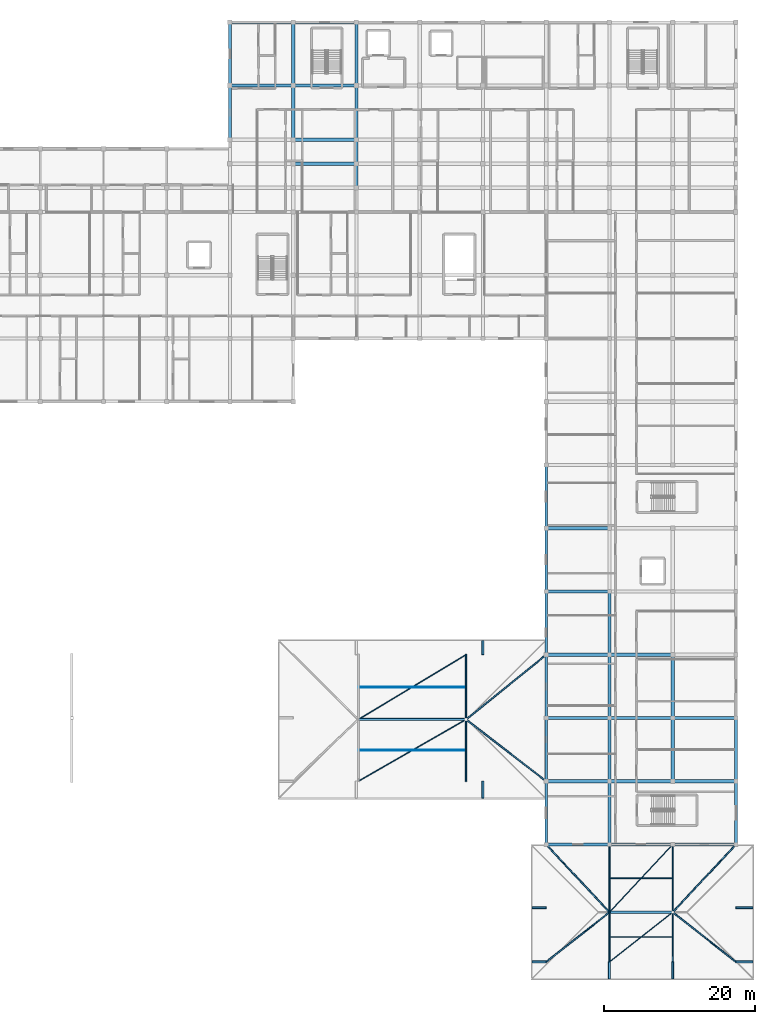
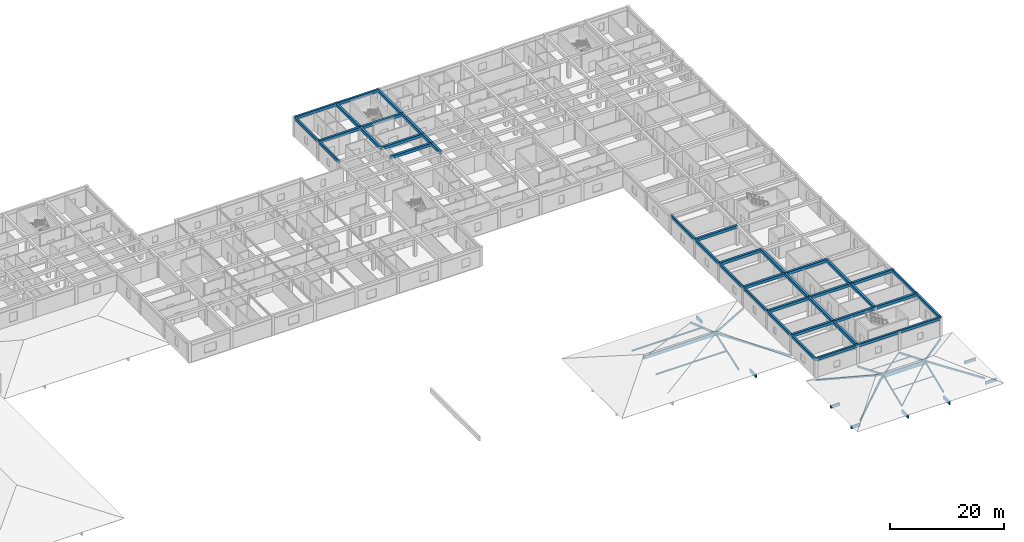
# One storey, part 9 of 42: 51 beams, 20 members.
"""IFC4 building model written with IfcOpenShell, lengths in metres."""

from ifc_helpers import new_model, si_unit, direction, frame, origin, origin_2d, place, context, subcontext, project, spatial, rectangle, hollow_rectangle, hollow_circle, extrude, material, material_profile, profile_set, type_object, element, save


model = new_model("IFC4")

# Units and contexts
model_context = context("Model", 3, precision=1e-05, world=origin(), true_north=direction((0.0, 1.0)))
body_context = subcontext(model_context, "Body", "Model", "MODEL_VIEW")
ifc_project = project(units=[si_unit("LENGTHUNIT", "METRE"), si_unit("AREAUNIT", "SQUARE_METRE"), si_unit("VOLUMEUNIT", "CUBIC_METRE"), si_unit("PLANEANGLEUNIT", "RADIAN"), si_unit("MASSUNIT", "GRAM", prefix="KILO")], contexts=[model_context])

# Site, building, storey
site_placement = place(None, origin())
site = spatial("IfcSite", under=ifc_project, at=site_placement, CompositionType="ELEMENT")
building_placement = place(site_placement, origin())
building = spatial("IfcBuilding", under=site, at=building_placement, Name="Varncliffe General Hospital", CompositionType="ELEMENT")
storey_placement = place(building_placement, frame((0.0, 0.0, 20.39990234375)))
storey = spatial("IfcBuildingStorey", under=building, at=storey_placement, Name="L04", CompositionType="ELEMENT", Elevation=20.39990234375)

# Beams
ifc_material_1 = material(Name="Concrete C35/45 (CSA A23.1 35 MPa)", Category="concrete")
ifc_material_profile_1 = material_profile(ifc_material_1, rectangle(XDim=0.449951171875, YDim=0.60009765625, at=origin_2d()), Name="RC 450x600")
ifc_profile_set_1 = profile_set([ifc_material_profile_1], Name="Concrete C35/45 (CSA A23.1 35 MPa)")
beam_type_1 = type_object("IfcBeamType", Name="Beam B47 (Int RC 450x600)", PredefinedType="BEAM", material=ifc_profile_set_1)
beam_1_placement = place(storey_placement, frame((151.199951171875, 24.0, 3.900146484375), z_axis=(1.0, 0.0, 0.0), x_axis=(0.0, 1.0, 0.0)))
element("IfcBeam", 1, at=beam_1_placement, inside=storey, type_object=beam_type_1, Name="L04 Primary Beam B47-4", PredefinedType="BEAM", context=body_context, shape_type="SweptSolid", body=[
    extrude(rectangle(XDim=0.449951171875, YDim=0.60009765625, at=origin_2d()), origin(), (0.0, 0.0, 1.0), 8.400146484375),
])
for number, where, z_axis, x_axis, name in (
    (2, (159.60009765625, 24.0, 3.900146484375), (1.0, 0.0, 0.0), (0.0, 1.0, 0.0), "L04 Primary Beam B47-5"),
    (3, (168.0, 24.0, 3.900146484375), (1.0, 0.0, 0.0), (0.0, 1.0, 0.0), "L04 Primary Beam B47-6"),
):
    element("IfcBeam", number, at=place(storey_placement, frame(where, z_axis=z_axis, x_axis=x_axis)), inside=storey, type_object=beam_type_1, Name=name, PredefinedType="BEAM", context=body_context, shape_type="SweptSolid", body=[
        extrude(rectangle(XDim=0.449951171875, YDim=0.60009765625, at=origin_2d()), origin(), (0.0, 0.0, 1.0), 8.39990234375),
    ])
beam_2_placement = place(storey_placement, frame((151.199951171875, 32.39990234375, 3.900146484375), z_axis=(1.0, 0.0, 0.0), x_axis=(0.0, 1.0, 0.0)))
element("IfcBeam", 4, at=beam_2_placement, inside=storey, type_object=beam_type_1, Name="L04 Primary Beam B47-7", PredefinedType="BEAM", context=body_context, shape_type="SweptSolid", body=[
    extrude(rectangle(XDim=0.449951171875, YDim=0.60009765625, at=origin_2d()), origin(), (0.0, 0.0, 1.0), 8.400146484375),
])
for number, where, z_axis, x_axis, name in (
    (5, (159.60009765625, 32.39990234375, 3.900146484375), (1.0, 0.0, 0.0), (0.0, 1.0, 0.0), "L04 Primary Beam B47-8"),
    (6, (168.0, 32.39990234375, 3.900146484375), (1.0, 0.0, 0.0), (0.0, 1.0, 0.0), "L04 Primary Beam B47-9"),
):
    element("IfcBeam", number, at=place(storey_placement, frame(where, z_axis=z_axis, x_axis=x_axis)), inside=storey, type_object=beam_type_1, Name=name, PredefinedType="BEAM", context=body_context, shape_type="SweptSolid", body=[
        extrude(rectangle(XDim=0.449951171875, YDim=0.60009765625, at=origin_2d()), origin(), (0.0, 0.0, 1.0), 8.39990234375),
    ])
beam_3_placement = place(storey_placement, frame((151.199951171875, 40.800048828125, 3.900146484375), z_axis=(1.0, 0.0, 0.0), x_axis=(0.0, 1.0, 0.0)))
element("IfcBeam", 7, at=beam_3_placement, inside=storey, type_object=beam_type_1, Name="L04 Primary Beam B47-10", PredefinedType="BEAM", context=body_context, shape_type="SweptSolid", body=[
    extrude(rectangle(XDim=0.449951171875, YDim=0.60009765625, at=origin_2d()), origin(), (0.0, 0.0, 1.0), 8.400146484375),
])
beam_4_placement = place(storey_placement, frame((159.60009765625, 40.800048828125, 3.900146484375), z_axis=(1.0, 0.0, 0.0), x_axis=(0.0, 1.0, 0.0)))
element("IfcBeam", 8, at=beam_4_placement, inside=storey, type_object=beam_type_1, Name="L04 Primary Beam B47-11", PredefinedType="BEAM", context=body_context, shape_type="SweptSolid", body=[
    extrude(rectangle(XDim=0.449951171875, YDim=0.60009765625, at=origin_2d()), origin(), (0.0, 0.0, 1.0), 8.39990234375),
])
for number, where, z_axis, x_axis, name in (
    (9, (151.199951171875, 49.199951171875, 3.900146484375), (1.0, 0.0, 0.0), (0.0, 1.0, 0.0), "L04 Primary Beam B47-13"),
    (10, (151.199951171875, 57.60009765625, 3.900146484375), (1.0, 0.0, 0.0), (0.0, 1.0, 0.0), "L04 Primary Beam B47-16"),
):
    element("IfcBeam", number, at=place(storey_placement, frame(where, z_axis=z_axis, x_axis=x_axis)), inside=storey, type_object=beam_type_1, Name=name, PredefinedType="BEAM", context=body_context, shape_type="SweptSolid", body=[
        extrude(rectangle(XDim=0.449951171875, YDim=0.60009765625, at=origin_2d()), origin(), (0.0, 0.0, 1.0), 8.400146484375),
    ])
for number, where, z_axis, x_axis, name in (
    (11, (117.60009765625, 106.0, 3.900146484375), (1.0, 0.0, 0.0), (0.0, 1.0, 0.0), "L04 Primary Beam B47-116"),
    (12, (117.60009765625, 109.199951171875, 3.900146484375), (1.0, 0.0, 0.0), (0.0, 1.0, 0.0), "L04 Primary Beam B47-135"),
):
    element("IfcBeam", number, at=place(storey_placement, frame(where, z_axis=z_axis, x_axis=x_axis)), inside=storey, type_object=beam_type_1, Name=name, PredefinedType="BEAM", context=body_context, shape_type="SweptSolid", body=[
        extrude(rectangle(XDim=0.449951171875, YDim=0.60009765625, at=origin_2d()), origin(), (0.0, 0.0, 1.0), 8.39990234375),
    ])
beam_5_placement = place(storey_placement, frame((109.199951171875, 116.39990234375, 3.900146484375), z_axis=(1.0, 0.0, 0.0), x_axis=(0.0, 1.0, 0.0)))
element("IfcBeam", 13, at=beam_5_placement, inside=storey, type_object=beam_type_1, Name="L04 Primary Beam B47-150", PredefinedType="BEAM", context=body_context, shape_type="SweptSolid", body=[
    extrude(rectangle(XDim=0.449951171875, YDim=0.60009765625, at=origin_2d()), origin(), (0.0, 0.0, 1.0), 8.400146484375),
])
beam_6_placement = place(storey_placement, frame((117.60009765625, 116.39990234375, 3.900146484375), z_axis=(1.0, 0.0, 0.0), x_axis=(0.0, 1.0, 0.0)))
element("IfcBeam", 14, at=beam_6_placement, inside=storey, type_object=beam_type_1, Name="L04 Primary Beam B47-151", PredefinedType="BEAM", context=body_context, shape_type="SweptSolid", body=[
    extrude(rectangle(XDim=0.449951171875, YDim=0.60009765625, at=origin_2d()), origin(), (0.0, 0.0, 1.0), 8.39990234375),
])
beam_7_placement = place(storey_placement, frame((117.60009765625, 109.199951171875, 3.900146484375), z_axis=(0.0, 1.0, 0.0), x_axis=(-1.0, 0.0, 0.0)))
element("IfcBeam", 15, at=beam_7_placement, inside=storey, type_object=beam_type_1, Name="L04 Primary Beam B47-267", PredefinedType="BEAM", context=body_context, shape_type="SweptSolid", body=[
    extrude(rectangle(XDim=0.449951171875, YDim=0.60009765625, at=origin_2d()), origin(), (0.0, 0.0, 1.0), 7.199951171875),
])
beam_8_placement = place(storey_placement, frame((117.60009765625, 116.39990234375, 3.900146484375), z_axis=(0.0, 1.0, 0.0), x_axis=(-1.0, 0.0, 0.0)))
element("IfcBeam", 16, at=beam_8_placement, inside=storey, type_object=beam_type_1, Name="L04 Primary Beam B47-268", PredefinedType="BEAM", context=body_context, shape_type="SweptSolid", body=[
    extrude(rectangle(XDim=0.449951171875, YDim=0.60009765625, at=origin_2d()), origin(), (0.0, 0.0, 1.0), 8.400146484375),
])
for number, where, z_axis, x_axis, name in (
    (17, (126.0, 102.800048828125, 3.900146484375), (0.0, 1.0, 0.0), (-1.0, 0.0, 0.0), "L04 Primary Beam B47-272"),
    (18, (126.0, 106.0, 3.900146484375), (0.0, 1.0, 0.0), (-1.0, 0.0, 0.0), "L04 Primary Beam B47-273"),
):
    element("IfcBeam", number, at=place(storey_placement, frame(where, z_axis=z_axis, x_axis=x_axis)), inside=storey, type_object=beam_type_1, Name=name, PredefinedType="BEAM", context=body_context, shape_type="SweptSolid", body=[
        extrude(rectangle(XDim=0.449951171875, YDim=0.60009765625, at=origin_2d()), origin(), (0.0, 0.0, 1.0), 3.199951171875),
    ])
beam_9_placement = place(storey_placement, frame((126.0, 109.199951171875, 3.900146484375), z_axis=(0.0, 1.0, 0.0), x_axis=(-1.0, 0.0, 0.0)))
element("IfcBeam", 19, at=beam_9_placement, inside=storey, type_object=beam_type_1, Name="L04 Primary Beam B47-274", PredefinedType="BEAM", context=body_context, shape_type="SweptSolid", body=[
    extrude(rectangle(XDim=0.449951171875, YDim=0.60009765625, at=origin_2d()), origin(), (0.0, 0.0, 1.0), 7.199951171875),
])
beam_10_placement = place(storey_placement, frame((126.0, 116.39990234375, 3.900146484375), z_axis=(0.0, 1.0, 0.0), x_axis=(-1.0, 0.0, 0.0)))
element("IfcBeam", 20, at=beam_10_placement, inside=storey, type_object=beam_type_1, Name="L04 Primary Beam B47-275", PredefinedType="BEAM", context=body_context, shape_type="SweptSolid", body=[
    extrude(rectangle(XDim=0.449951171875, YDim=0.60009765625, at=origin_2d()), origin(), (0.0, 0.0, 1.0), 8.400146484375),
])
for number, where, z_axis, x_axis, name in (
    (21, (159.60009765625, 15.60009765625, 3.900146484375), (0.0, 1.0, 0.0), (-1.0, 0.0, 0.0), "L04 Primary Beam B47-305"),
    (22, (159.60009765625, 24.0, 3.900146484375), (0.0, 1.0, 0.0), (-1.0, 0.0, 0.0), "L04 Primary Beam B47-306"),
):
    element("IfcBeam", number, at=place(storey_placement, frame(where, z_axis=z_axis, x_axis=x_axis)), inside=storey, type_object=beam_type_1, Name=name, PredefinedType="BEAM", context=body_context, shape_type="SweptSolid", body=[
        extrude(rectangle(XDim=0.449951171875, YDim=0.60009765625, at=origin_2d()), origin(), (0.0, 0.0, 1.0), 8.39990234375),
    ])
beam_11_placement = place(storey_placement, frame((159.60009765625, 32.39990234375, 3.900146484375), z_axis=(0.0, 1.0, 0.0), x_axis=(-1.0, 0.0, 0.0)))
element("IfcBeam", 23, at=beam_11_placement, inside=storey, type_object=beam_type_1, Name="L04 Primary Beam B47-307", PredefinedType="BEAM", context=body_context, shape_type="SweptSolid", body=[
    extrude(rectangle(XDim=0.449951171875, YDim=0.60009765625, at=origin_2d()), origin(), (0.0, 0.0, 1.0), 8.400146484375),
])
for number, where, z_axis, x_axis, name in (
    (24, (159.60009765625, 40.800048828125, 3.900146484375), (0.0, 1.0, 0.0), (-1.0, 0.0, 0.0), "L04 Primary Beam B47-308"),
    (25, (168.0, 24.0, 3.900146484375), (0.0, 1.0, 0.0), (-1.0, 0.0, 0.0), "L04 Primary Beam B47-320"),
):
    element("IfcBeam", number, at=place(storey_placement, frame(where, z_axis=z_axis, x_axis=x_axis)), inside=storey, type_object=beam_type_1, Name=name, PredefinedType="BEAM", context=body_context, shape_type="SweptSolid", body=[
        extrude(rectangle(XDim=0.449951171875, YDim=0.60009765625, at=origin_2d()), origin(), (0.0, 0.0, 1.0), 8.39990234375),
    ])
beam_12_placement = place(storey_placement, frame((168.0, 32.39990234375, 3.900146484375), z_axis=(0.0, 1.0, 0.0), x_axis=(-1.0, 0.0, 0.0)))
element("IfcBeam", 26, at=beam_12_placement, inside=storey, type_object=beam_type_1, Name="L04 Primary Beam B47-321", PredefinedType="BEAM", context=body_context, shape_type="SweptSolid", body=[
    extrude(rectangle(XDim=0.449951171875, YDim=0.60009765625, at=origin_2d()), origin(), (0.0, 0.0, 1.0), 8.400146484375),
])
ifc_material_2 = material(Name="Glulam GL28h (CSA O86 24f-EX, 30 MPa)", Category="wood")
ifc_material_profile_2 = material_profile(ifc_material_2, rectangle(XDim=0.264892578125, YDim=0.68408203125, at=origin_2d()), Name="GL 265x684")
ifc_profile_set_2 = profile_set([ifc_material_profile_2], Name="Glulam GL28h (CSA O86 24f-EX, 30 MPa)")
beam_type_2 = type_object("IfcBeamType", Name="Beam B72 (Int GL 265x684)", PredefinedType="BEAM", material=ifc_profile_set_2)
beam_13_placement = place(storey_placement, frame((126.090087890625, 32.199951171875, 3.00830078125), z_axis=(1.0, 0.0, 0.0), x_axis=(0.0, 1.0, 0.0)))
element("IfcBeam", 27, at=beam_13_placement, inside=storey, type_object=beam_type_2, Name="L04 RF-V5-S Glulam Ridge Girder", PredefinedType="BEAM", context=body_context, shape_type="SweptSolid", body=[
    extrude(rectangle(XDim=0.264892578125, YDim=0.68408203125, at=origin_2d()), origin(), (0.0, 0.0, 1.0), 14.619873046875),
])
ifc_material_profile_3 = material_profile(ifc_material_2, rectangle(XDim=0.31494140625, YDim=0.8359375, at=origin_2d()), Name="GL 315x836")
ifc_profile_set_3 = profile_set([ifc_material_profile_3], Name="Glulam GL28h (CSA O86 24f-EX, 30 MPa)")
beam_type_3 = type_object("IfcBeamType", Name="Beam B74 (Int GL 315x836)", PredefinedType="BEAM", material=ifc_profile_set_3)
beam_14_placement = place(storey_placement, frame((159.43994140625, 6.60009765625, 2.89990234375), z_axis=(1.0, 0.0, 0.0), x_axis=(0.0, 1.0, 0.0)))
element("IfcBeam", 28, at=beam_14_placement, inside=storey, type_object=beam_type_3, Name="L04 RF-V5-SE Glulam Ridge Girder", PredefinedType="BEAM", context=body_context, shape_type="SweptSolid", body=[
    extrude(rectangle(XDim=0.31494140625, YDim=0.8359375, at=origin_2d()), origin(), (0.0, 0.0, 1.0), 8.719970703125),
])
ifc_material_profile_4 = material_profile(ifc_material_2, rectangle(XDim=0.264892578125, YDim=0.60791015625, at=origin_2d()), Name="GL 265x608")
ifc_profile_set_4 = profile_set([ifc_material_profile_4], Name="Glulam GL28h (CSA O86 24f-EX, 30 MPa)")
beam_type_4 = type_object("IfcBeamType", Name="Beam B82 (Ext GL 265x608)", PredefinedType="BEAM", material=ifc_profile_set_4)
beam_15_placement = place(storey_placement, frame((142.800048828125, 21.739990234375, -0.4951171875), z_axis=(0.0, 1.0, 0.0), x_axis=(-1.0, 0.0, 0.0)))
element("IfcBeam", 29, at=beam_15_placement, inside=storey, type_object=beam_type_4, Name="L04 RF-V5-S South Eave Lookout Bracket 2", PredefinedType="BEAM", context=body_context, shape_type="SweptSolid", body=[
    extrude(rectangle(XDim=0.264892578125, YDim=0.60791015625, at=origin_2d()), origin(), (0.0, 0.0, 1.0), 2.260009765625),
])
beam_16_placement = place(storey_placement, frame((142.800048828125, 40.800048828125, -0.4951171875), z_axis=(0.0, 1.0, 0.0), x_axis=(-1.0, 0.0, 0.0)))
element("IfcBeam", 30, at=beam_16_placement, inside=storey, type_object=beam_type_4, Name="L04 RF-V5-S North Eave Lookout Bracket 2", PredefinedType="BEAM", context=body_context, shape_type="SweptSolid", body=[
    extrude(rectangle(XDim=0.264892578125, YDim=0.60791015625, at=origin_2d()), origin(), (0.0, 0.0, 1.0), 1.85986328125),
])
for number, where, z_axis, x_axis, name in (
    (31, (159.60009765625, -2.260009765625, -0.520751953125), (0.0, 1.0, 0.0), (-1.0, 0.0, 0.0), "L04 RF-V5-SE South Eave Lookout Bracket 1"),
    (32, (168.0, -2.260009765625, -0.520751953125), (0.0, 1.0, 0.0), (-1.0, 0.0, 0.0), "L04 RF-V5-SE South Eave Lookout Bracket 2"),
):
    element("IfcBeam", number, at=place(storey_placement, frame(where, z_axis=z_axis, x_axis=x_axis)), inside=storey, type_object=beam_type_4, Name=name, PredefinedType="BEAM", context=body_context, shape_type="SweptSolid", body=[
        extrude(rectangle(XDim=0.264892578125, YDim=0.60791015625, at=origin_2d()), origin(), (0.0, 0.0, 1.0), 2.260009765625),
    ])
for number, where, z_axis, x_axis, name in (
    (33, (149.340087890625, 7.199951171875, -0.520751953125), (1.0, 0.0, 0.0), (0.0, 1.0, 0.0), "L04 RF-V5-SE West Eave Lookout Bracket 1"),
    (34, (149.340087890625, 0.0, -0.520751953125), (1.0, 0.0, 0.0), (0.0, 1.0, 0.0), "L04 RF-V5-SE West Eave Lookout Bracket 2"),
):
    element("IfcBeam", number, at=place(storey_placement, frame(where, z_axis=z_axis, x_axis=x_axis)), inside=storey, type_object=beam_type_4, Name=name, PredefinedType="BEAM", context=body_context, shape_type="SweptSolid", body=[
        extrude(rectangle(XDim=0.264892578125, YDim=0.60791015625, at=origin_2d()), origin(), (0.0, 0.0, 1.0), 1.85986328125),
    ])
for number, where, z_axis, x_axis, name in (
    (35, (176.39990234375, 7.199951171875, -0.520751953125), (1.0, 0.0, 0.0), (0.0, 1.0, 0.0), "L04 RF-V5-SE East Eave Lookout Bracket 1"),
    (36, (176.39990234375, 0.0, -0.520751953125), (1.0, 0.0, 0.0), (0.0, 1.0, 0.0), "L04 RF-V5-SE East Eave Lookout Bracket 2"),
):
    element("IfcBeam", number, at=place(storey_placement, frame(where, z_axis=z_axis, x_axis=x_axis)), inside=storey, type_object=beam_type_4, Name=name, PredefinedType="BEAM", context=body_context, shape_type="SweptSolid", body=[
        extrude(rectangle(XDim=0.264892578125, YDim=0.60791015625, at=origin_2d()), origin(), (0.0, 0.0, 1.0), 2.260009765625),
    ])

# Members
ifc_material_profile_5 = material_profile(ifc_material_2, rectangle(XDim=0.1298828125, YDim=0.26611328125, at=origin_2d()), Name="GL 130x266")
ifc_profile_set_5 = profile_set([ifc_material_profile_5], Name="Glulam GL28h (CSA O86 24f-EX, 30 MPa)")
member_type_1 = type_object("IfcMemberType", Name="Member MB19 (PURLIN Int GL 130x266)", PredefinedType="PURLIN", material=ifc_profile_set_5)
for number, where, z_axis, x_axis, name in (
    (37, (126.25, 28.10009765625, 1.839599609375), (1.0, 0.0, 0.0), (0.0, 1.0, 0.0), "L04 RF-V5-S Timber Purlin S1"),
    (38, (126.25, 36.5, 1.770751953125), (1.0, 0.0, 0.0), (0.0, 1.0, 0.0), "L04 RF-V5-S Timber Purlin N1"),
):
    element("IfcMember", number, at=place(storey_placement, frame(where, z_axis=z_axis, x_axis=x_axis)), inside=storey, type_object=member_type_1, Name=name, PredefinedType="PURLIN", context=body_context, shape_type="SweptSolid", body=[
        extrude(rectangle(XDim=0.1298828125, YDim=0.26611328125, at=origin_2d()), origin(), (0.0, 0.0, 1.0), 14.300048828125),
    ])
ifc_material_3 = material(Name="Steel S355 (CSA G40.21 350W)", Category="steel")
ifc_material_profile_6 = material_profile(ifc_material_3, hollow_rectangle(XDim=0.10205078125, YDim=0.202880859375, WallThickness=0.008056640625, InnerFilletRadius=0.008056640625, OuterFilletRadius=0.01611328125, at=origin_2d()), Name="HSS 203x102x8.0")
ifc_profile_set_6 = profile_set([ifc_material_profile_6], Name="Steel S355 (CSA G40.21 350W)")
member_type_2 = type_object("IfcMemberType", Name="Member MB29 (PURLIN Int HSS 203x102x8.0)", PredefinedType="PURLIN", material=ifc_profile_set_6)
for number, where, z_axis, x_axis, name in (
    (39, (159.60009765625, 3.300048828125, 1.915283203125), (1.0, 0.0, 0.0), (0.0, 1.0, 0.0), "L04 RF-V5-SE Timber Purlin S1"),
    (40, (159.60009765625, 11.10009765625, 1.427734375), (1.0, 0.0, 0.0), (0.0, 1.0, 0.0), "L04 RF-V5-SE Timber Purlin N1"),
):
    element("IfcMember", number, at=place(storey_placement, frame(where, z_axis=z_axis, x_axis=x_axis)), inside=storey, type_object=member_type_2, Name=name, PredefinedType="PURLIN", context=body_context, shape_type="SweptSolid", body=[
        extrude(hollow_rectangle(XDim=0.10205078125, YDim=0.202880859375, WallThickness=0.008056640625, InnerFilletRadius=0.008056640625, OuterFilletRadius=0.01611328125, at=origin_2d()), origin(), (0.0, 0.0, 1.0), 8.39990234375),
    ])
ifc_material_profile_7 = material_profile(ifc_material_2, rectangle(XDim=0.175048828125, YDim=0.3798828125, at=origin_2d()), Name="GL 175x380")
ifc_profile_set_7 = profile_set([ifc_material_profile_7], Name="Glulam GL28h (CSA O86 24f-EX, 30 MPa)")
member_type_3 = type_object("IfcMemberType", Name="Member MB55 (RAFTER Int GL 175x380)", PredefinedType="RAFTER", material=ifc_profile_set_7)
member_1_placement = place(storey_placement, frame((151.199951171875, 0.0, 0.313720703125), z_axis=(0.759838926934, 0.597003621065, 0.257354777595), x_axis=(-0.617813439471, 0.786324712831, 0.0)))
element("IfcMember", 41, at=member_1_placement, inside=storey, type_object=member_type_3, Name="L04 RF-V5-SE Hip Rafter SW", PredefinedType="RAFTER", context=body_context, shape_type="SweptSolid", body=[
    extrude(rectangle(XDim=0.175048828125, YDim=0.3798828125, at=origin_2d()), origin(), (0.0, 0.0, 1.0), 11.00341796875),
])
member_2_placement = place(storey_placement, frame((151.199951171875, 15.60009765625, -0.50048828125), z_axis=(0.654077622916, -0.700785182471, 0.284750050447), x_axis=(0.731049308803, 0.682324635418, 0.0)))
element("IfcMember", 42, at=member_2_placement, inside=storey, type_object=member_type_3, Name="L04 RF-V5-SE Hip Rafter NW", PredefinedType="RAFTER", context=body_context, shape_type="SweptSolid", body=[
    extrude(rectangle(XDim=0.175048828125, YDim=0.3798828125, at=origin_2d()), origin(), (0.0, 0.0, 1.0), 12.79052734375),
])
member_3_placement = place(storey_placement, frame((176.39990234375, 0.0, 0.47705078125), z_axis=(-0.762651911098, 0.599231273818, 0.243482941861), x_axis=(-0.617824594143, -0.786315948505, 0.0)))
element("IfcMember", 43, at=member_3_placement, inside=storey, type_object=member_type_3, Name="L04 RF-V5-SE Hip Rafter SE", PredefinedType="RAFTER", context=body_context, shape_type="SweptSolid", body=[
    extrude(rectangle(XDim=0.175048828125, YDim=0.3798828125, at=origin_2d()), origin(), (0.0, 0.0, 1.0), 10.962646484375),
])
member_4_placement = place(storey_placement, frame((176.39990234375, 15.60009765625, -0.50048828125), z_axis=(-0.654066701074, -0.700793931688, 0.284753605516), x_axis=(0.731059241226, -0.682313993568, 0.0)))
element("IfcMember", 44, at=member_4_placement, inside=storey, type_object=member_type_3, Name="L04 RF-V5-SE Hip Rafter NE", PredefinedType="RAFTER", context=body_context, shape_type="SweptSolid", body=[
    extrude(rectangle(XDim=0.175048828125, YDim=0.3798828125, at=origin_2d()), origin(), (0.0, 0.0, 1.0), 12.790283203125),
])
member_5_placement = place(storey_placement, frame((159.60009765625, 0.0, 0.4677734375), z_axis=(0.0, 0.926437933152, 0.376447547497), x_axis=(-1.0, 0.0, 0.0)))
element("IfcMember", 45, at=member_5_placement, inside=storey, type_object=member_type_3, Name="L04 RF-V5-SE South Sloped Glulam Rafter 1", PredefinedType="RAFTER", context=body_context, shape_type="SweptSolid", body=[
    extrude(rectangle(XDim=0.175048828125, YDim=0.3798828125, at=origin_2d()), origin(), (0.0, 0.0, 1.0), 7.059326171875),
])
member_6_placement = place(storey_placement, frame((159.60009765625, 15.60009765625, -0.50732421875), z_axis=(0.0, -0.926444244874, 0.376432013968), x_axis=(1.0, 0.0, 0.0)))
element("IfcMember", 46, at=member_6_placement, inside=storey, type_object=member_type_3, Name="L04 RF-V5-SE North Sloped Glulam Rafter 1", PredefinedType="RAFTER", context=body_context, shape_type="SweptSolid", body=[
    extrude(rectangle(XDim=0.175048828125, YDim=0.3798828125, at=origin_2d()), origin(), (0.0, 0.0, 1.0), 9.64990234375),
])
member_7_placement = place(storey_placement, frame((168.0, 0.0, 0.4677734375), z_axis=(0.0, 0.926437933152, 0.376447547497), x_axis=(-1.0, 0.0, 0.0)))
element("IfcMember", 47, at=member_7_placement, inside=storey, type_object=member_type_3, Name="L04 RF-V5-SE South Sloped Glulam Rafter 2", PredefinedType="RAFTER", context=body_context, shape_type="SweptSolid", body=[
    extrude(rectangle(XDim=0.175048828125, YDim=0.3798828125, at=origin_2d()), origin(), (0.0, 0.0, 1.0), 7.059326171875),
])
member_8_placement = place(storey_placement, frame((168.0, 15.60009765625, -0.50732421875), z_axis=(0.0, -0.926444244874, 0.376432013968), x_axis=(1.0, 0.0, 0.0)))
element("IfcMember", 48, at=member_8_placement, inside=storey, type_object=member_type_3, Name="L04 RF-V5-SE North Sloped Glulam Rafter 2", PredefinedType="RAFTER", context=body_context, shape_type="SweptSolid", body=[
    extrude(rectangle(XDim=0.175048828125, YDim=0.3798828125, at=origin_2d()), origin(), (0.0, 0.0, 1.0), 9.64990234375),
])
ifc_material_profile_8 = material_profile(ifc_material_3, hollow_circle(Radius=0.070556640625, WallThickness=0.00634765625, at=origin_2d()), Name="CHS 141x6.4")
ifc_profile_set_8 = profile_set([ifc_material_profile_8], Name="Steel S355 (CSA G40.21 350W)")
member_type_4 = type_object("IfcMemberType", Name="Member MB72 (BRACE Int CHS 141x6.4)", PredefinedType="BRACE", material=ifc_profile_set_8)
member_9_placement = place(storey_placement, frame((159.60009765625, 0.0, 0.4677734375), z_axis=(0.766691185863, 0.602416134355, 0.221989699284), x_axis=(-0.617831645075, 0.786310408391, 0.0)))
element("IfcMember", 49, at=member_9_placement, inside=storey, type_object=member_type_4, Name="L04 RF-V5-SE Lateral Wind Brace 1", PredefinedType="BRACE", context=body_context, shape_type="SweptSolid", body=[
    extrude(hollow_circle(Radius=0.070556640625, WallThickness=0.00634765625, at=origin_2d()), origin(), (0.0, 0.0, 1.0), 10.9560546875),
])
member_10_placement = place(storey_placement, frame((168.0, 15.60009765625, -0.50732421875), z_axis=(-0.657593236585, -0.704572373233, 0.266737522809), x_axis=(0.73105922506, -0.682314010889, 0.0)))
element("IfcMember", 50, at=member_10_placement, inside=storey, type_object=member_type_4, Name="L04 RF-V5-SE Lateral Wind Brace 2", PredefinedType="BRACE", context=body_context, shape_type="SweptSolid", body=[
    extrude(hollow_circle(Radius=0.070556640625, WallThickness=0.00634765625, at=origin_2d()), origin(), (0.0, 0.0, 1.0), 12.773681640625),
])
ifc_material_profile_9 = material_profile(ifc_material_2, rectangle(XDim=0.175048828125, YDim=0.41796875, at=origin_2d()), Name="GL 175x418")
ifc_profile_set_9 = profile_set([ifc_material_profile_9], Name="Glulam GL28h (CSA O86 24f-EX, 30 MPa)")
member_type_5 = type_object("IfcMemberType", Name="Member MB73 (RAFTER Int GL 175x418)", PredefinedType="RAFTER", material=ifc_profile_set_9)
member_11_placement = place(storey_placement, frame((151.199951171875, 24.0, -0.484130859375), z_axis=(-0.764637723477, 0.588732340152, 0.262151451445), x_axis=(-0.610068419195, -0.792348738815, 0.0)))
element("IfcMember", 51, at=member_11_placement, inside=storey, type_object=member_type_5, Name="L04 RF-V5-S Hip Rafter SE", PredefinedType="RAFTER", context=body_context, shape_type="SweptSolid", body=[
    extrude(rectangle(XDim=0.175048828125, YDim=0.41796875, at=origin_2d()), origin(), (0.0, 0.0, 1.0), 13.876220703125),
])
member_12_placement = place(storey_placement, frame((151.199951171875, 40.800048828125, -0.48388671875), z_axis=(-0.751733189351, -0.6070354036, 0.257692124063), x_axis=(0.628253354172, -0.77800881934, 0.0)))
element("IfcMember", 52, at=member_12_placement, inside=storey, type_object=member_type_5, Name="L04 RF-V5-S Hip Rafter NE", PredefinedType="RAFTER", context=body_context, shape_type="SweptSolid", body=[
    extrude(rectangle(XDim=0.175048828125, YDim=0.41796875, at=origin_2d()), origin(), (0.0, 0.0, 1.0), 14.115478515625),
])
member_13_placement = place(storey_placement, frame((140.550048828125, 24.0, 0.33740234375), z_axis=(0.0, 0.945564198691, 0.325435625206), x_axis=(-1.0, 0.0, 0.0)))
element("IfcMember", 53, at=member_13_placement, inside=storey, type_object=member_type_5, Name="L04 RF-V5-S South Sloped Glulam Rafter 2", PredefinedType="RAFTER", context=body_context, shape_type="SweptSolid", body=[
    extrude(rectangle(XDim=0.175048828125, YDim=0.41796875, at=origin_2d()), origin(), (0.0, 0.0, 1.0), 8.6083984375),
])
member_14_placement = place(storey_placement, frame((140.550048828125, 40.800048828125, 0.19970703125), z_axis=(0.0, -0.945564997299, 0.325433304816), x_axis=(1.0, 0.0, 0.0)))
element("IfcMember", 54, at=member_14_placement, inside=storey, type_object=member_type_5, Name="L04 RF-V5-S North Sloped Glulam Rafter 2", PredefinedType="RAFTER", context=body_context, shape_type="SweptSolid", body=[
    extrude(rectangle(XDim=0.175048828125, YDim=0.41796875, at=origin_2d()), origin(), (0.0, 0.0, 1.0), 9.03173828125),
])
ifc_material_profile_10 = material_profile(ifc_material_3, hollow_circle(Radius=0.083984375, WallThickness=0.00634765625, at=origin_2d()), Name="CHS 168x6.4")
ifc_profile_set_10 = profile_set([ifc_material_profile_10], Name="Steel S355 (CSA G40.21 350W)")
member_type_6 = type_object("IfcMemberType", Name="Member MB84 (BRACE Int CHS 168x6.4)", PredefinedType="BRACE", material=ifc_profile_set_10)
member_15_placement = place(storey_placement, frame((126.25, 24.0, 0.33740234375), z_axis=(0.856329814683, 0.491037670698, 0.159941409397), x_axis=(-0.4974414789, 0.86749753606, 0.0)))
element("IfcMember", 55, at=member_15_placement, inside=storey, type_object=member_type_6, Name="L04 RF-V5-S Lateral Wind Brace 1", PredefinedType="BRACE", context=body_context, shape_type="SweptSolid", body=[
    extrude(hollow_circle(Radius=0.083984375, WallThickness=0.00634765625, at=origin_2d()), origin(), (0.0, 0.0, 1.0), 16.69921875),
])
member_16_placement = place(storey_placement, frame((140.550048828125, 40.800048828125, 0.19970703125), z_axis=(-0.845075562467, -0.508231297073, 0.165976632077), x_axis=(0.515379776403, -0.856961893012, 0.0)))
element("IfcMember", 56, at=member_16_placement, inside=storey, type_object=member_type_6, Name="L04 RF-V5-S Lateral Wind Brace 2", PredefinedType="BRACE", context=body_context, shape_type="SweptSolid", body=[
    extrude(hollow_circle(Radius=0.083984375, WallThickness=0.00634765625, at=origin_2d()), origin(), (0.0, 0.0, 1.0), 16.921630859375),
])

# Beams
ifc_material_profile_11 = material_profile(ifc_material_1, rectangle(XDim=0.35009765625, YDim=0.550048828125, at=origin_2d()), Name="RC 350x550")
ifc_profile_set_11 = profile_set([ifc_material_profile_11], Name="Concrete C35/45 (CSA A23.1 35 MPa)")
beam_type_5 = type_object("IfcBeamType", Name="Spandrel SP20 (Ext RC 350x550)", PredefinedType="SPANDREL", material=ifc_profile_set_11)
beam_17_placement = place(storey_placement, frame((109.199951171875, 109.199951171875, 3.925048828125), z_axis=(0.0, 1.0, 0.0), x_axis=(-1.0, 0.0, 0.0)))
element("IfcBeam", 57, at=beam_17_placement, inside=storey, type_object=beam_type_5, Name="L04 Spandrel Beam SP20-259", PredefinedType="SPANDREL", context=body_context, shape_type="SweptSolid", body=[
    extrude(rectangle(XDim=0.35009765625, YDim=0.550048828125, at=origin_2d()), origin(), (0.0, 0.0, 1.0), 7.199951171875),
])
beam_18_placement = place(storey_placement, frame((109.199951171875, 116.39990234375, 3.925048828125), z_axis=(0.0, 1.0, 0.0), x_axis=(-1.0, 0.0, 0.0)))
element("IfcBeam", 58, at=beam_18_placement, inside=storey, type_object=beam_type_5, Name="L04 Spandrel Beam SP20-260", PredefinedType="SPANDREL", context=body_context, shape_type="SweptSolid", body=[
    extrude(rectangle(XDim=0.35009765625, YDim=0.550048828125, at=origin_2d()), origin(), (0.0, 0.0, 1.0), 8.400146484375),
])
for number, where, z_axis, x_axis, name in (
    (59, (151.199951171875, 15.60009765625, 3.925048828125), (0.0, 1.0, 0.0), (-1.0, 0.0, 0.0), "L04 Spandrel Beam SP20-290"),
    (60, (151.199951171875, 24.0, 3.925048828125), (0.0, 1.0, 0.0), (-1.0, 0.0, 0.0), "L04 Spandrel Beam SP20-291"),
):
    element("IfcBeam", number, at=place(storey_placement, frame(where, z_axis=z_axis, x_axis=x_axis)), inside=storey, type_object=beam_type_5, Name=name, PredefinedType="SPANDREL", context=body_context, shape_type="SweptSolid", body=[
        extrude(rectangle(XDim=0.35009765625, YDim=0.550048828125, at=origin_2d()), origin(), (0.0, 0.0, 1.0), 8.39990234375),
    ])
beam_19_placement = place(storey_placement, frame((151.199951171875, 32.39990234375, 3.925048828125), z_axis=(0.0, 1.0, 0.0), x_axis=(-1.0, 0.0, 0.0)))
element("IfcBeam", 61, at=beam_19_placement, inside=storey, type_object=beam_type_5, Name="L04 Spandrel Beam SP20-292", PredefinedType="SPANDREL", context=body_context, shape_type="SweptSolid", body=[
    extrude(rectangle(XDim=0.35009765625, YDim=0.550048828125, at=origin_2d()), origin(), (0.0, 0.0, 1.0), 8.400146484375),
])
beam_20_placement = place(storey_placement, frame((151.199951171875, 40.800048828125, 3.925048828125), z_axis=(0.0, 1.0, 0.0), x_axis=(-1.0, 0.0, 0.0)))
element("IfcBeam", 62, at=beam_20_placement, inside=storey, type_object=beam_type_5, Name="L04 Spandrel Beam SP20-293", PredefinedType="SPANDREL", context=body_context, shape_type="SweptSolid", body=[
    extrude(rectangle(XDim=0.35009765625, YDim=0.550048828125, at=origin_2d()), origin(), (0.0, 0.0, 1.0), 8.39990234375),
])
beam_21_placement = place(storey_placement, frame((151.199951171875, 49.199951171875, 3.925048828125), z_axis=(0.0, 1.0, 0.0), x_axis=(-1.0, 0.0, 0.0)))
element("IfcBeam", 63, at=beam_21_placement, inside=storey, type_object=beam_type_5, Name="L04 Spandrel Beam SP20-294", PredefinedType="SPANDREL", context=body_context, shape_type="SweptSolid", body=[
    extrude(rectangle(XDim=0.35009765625, YDim=0.550048828125, at=origin_2d()), origin(), (0.0, 0.0, 1.0), 8.400146484375),
])
for number, where, z_axis, x_axis, name in (
    (64, (151.199951171875, 57.60009765625, 3.925048828125), (0.0, 1.0, 0.0), (-1.0, 0.0, 0.0), "L04 Spandrel Beam SP20-295"),
    (65, (176.39990234375, 15.60009765625, 3.925048828125), (0.0, 1.0, 0.0), (-1.0, 0.0, 0.0), "L04 Spandrel Beam SP20-333"),
    (66, (176.39990234375, 24.0, 3.925048828125), (0.0, 1.0, 0.0), (-1.0, 0.0, 0.0), "L04 Spandrel Beam SP20-334"),
):
    element("IfcBeam", number, at=place(storey_placement, frame(where, z_axis=z_axis, x_axis=x_axis)), inside=storey, type_object=beam_type_5, Name=name, PredefinedType="SPANDREL", context=body_context, shape_type="SweptSolid", body=[
        extrude(rectangle(XDim=0.35009765625, YDim=0.550048828125, at=origin_2d()), origin(), (0.0, 0.0, 1.0), 8.39990234375),
    ])
ifc_material_profile_12 = material_profile(ifc_material_1, rectangle(XDim=0.39990234375, YDim=0.60009765625, at=origin_2d()), Name="RC 400x600")
ifc_profile_set_12 = profile_set([ifc_material_profile_12], Name="Concrete C35/45 (CSA A23.1 35 MPa)")
beam_type_6 = type_object("IfcBeamType", Name="Spandrel SP58 (Ext RC 400x600B)", PredefinedType="SPANDREL", material=ifc_profile_set_12)
beam_22_placement = place(storey_placement, frame((151.199951171875, 15.60009765625, 3.900146484375), z_axis=(1.0, 0.0, 0.0), x_axis=(0.0, 1.0, 0.0)))
element("IfcBeam", 67, at=beam_22_placement, inside=storey, type_object=beam_type_6, Name="L04 Spandrel Beam SP58-1", PredefinedType="SPANDREL", context=body_context, shape_type="SweptSolid", body=[
    extrude(rectangle(XDim=0.39990234375, YDim=0.60009765625, at=origin_2d()), origin(), (0.0, 0.0, 1.0), 8.400146484375),
])
for number, where, z_axis, x_axis, name in (
    (68, (159.60009765625, 15.60009765625, 3.900146484375), (1.0, 0.0, 0.0), (0.0, 1.0, 0.0), "L04 Spandrel Beam SP58-2"),
    (69, (168.0, 15.60009765625, 3.900146484375), (1.0, 0.0, 0.0), (0.0, 1.0, 0.0), "L04 Spandrel Beam SP58-3"),
):
    element("IfcBeam", number, at=place(storey_placement, frame(where, z_axis=z_axis, x_axis=x_axis)), inside=storey, type_object=beam_type_6, Name=name, PredefinedType="SPANDREL", context=body_context, shape_type="SweptSolid", body=[
        extrude(rectangle(XDim=0.39990234375, YDim=0.60009765625, at=origin_2d()), origin(), (0.0, 0.0, 1.0), 8.39990234375),
    ])
beam_23_placement = place(storey_placement, frame((109.199951171875, 124.800048828125, 3.900146484375), z_axis=(1.0, 0.0, 0.0), x_axis=(0.0, 1.0, 0.0)))
element("IfcBeam", 70, at=beam_23_placement, inside=storey, type_object=beam_type_6, Name="L04 Spandrel Beam SP58-166", PredefinedType="SPANDREL", context=body_context, shape_type="SweptSolid", body=[
    extrude(rectangle(XDim=0.39990234375, YDim=0.60009765625, at=origin_2d()), origin(), (0.0, 0.0, 1.0), 8.400146484375),
])
beam_24_placement = place(storey_placement, frame((117.60009765625, 124.800048828125, 3.900146484375), z_axis=(1.0, 0.0, 0.0), x_axis=(0.0, 1.0, 0.0)))
element("IfcBeam", 71, at=beam_24_placement, inside=storey, type_object=beam_type_6, Name="L04 Spandrel Beam SP58-167", PredefinedType="SPANDREL", context=body_context, shape_type="SweptSolid", body=[
    extrude(rectangle(XDim=0.39990234375, YDim=0.60009765625, at=origin_2d()), origin(), (0.0, 0.0, 1.0), 8.39990234375),
])

save(model, "model.ifc")
